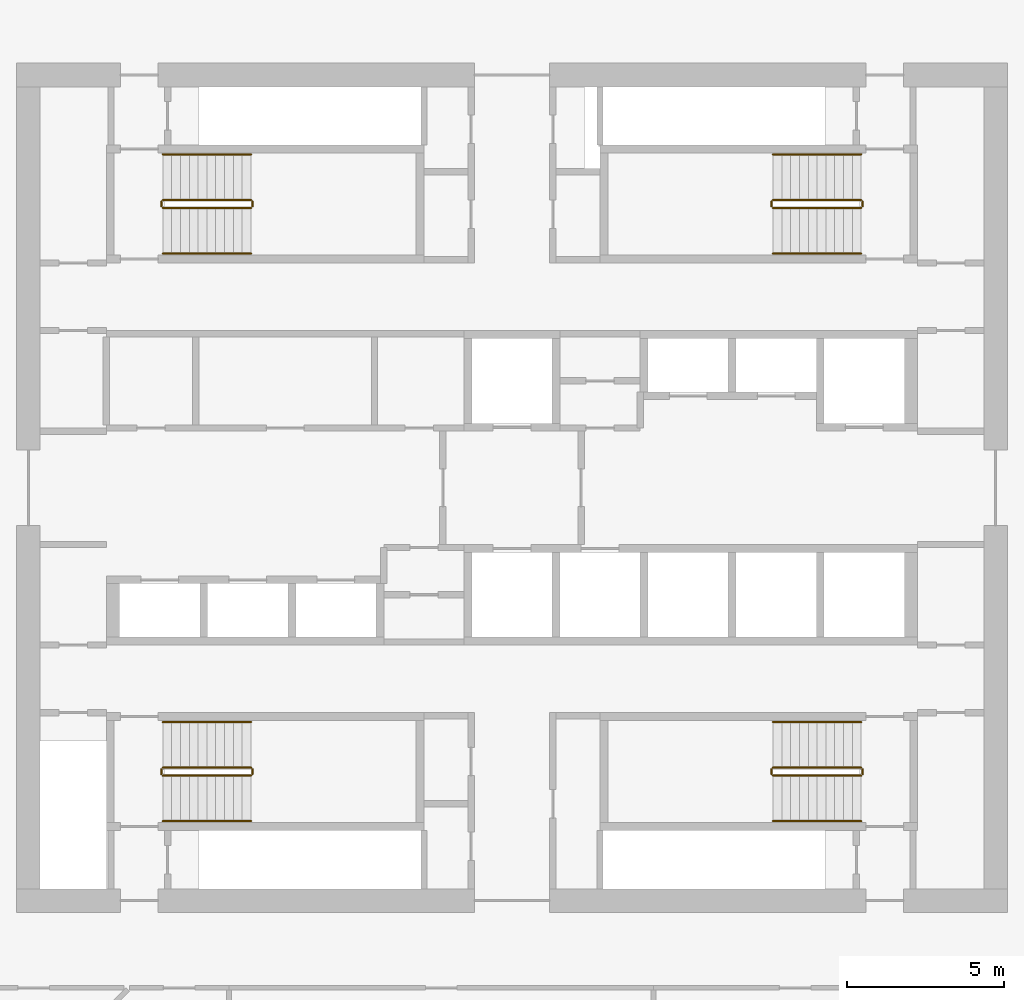
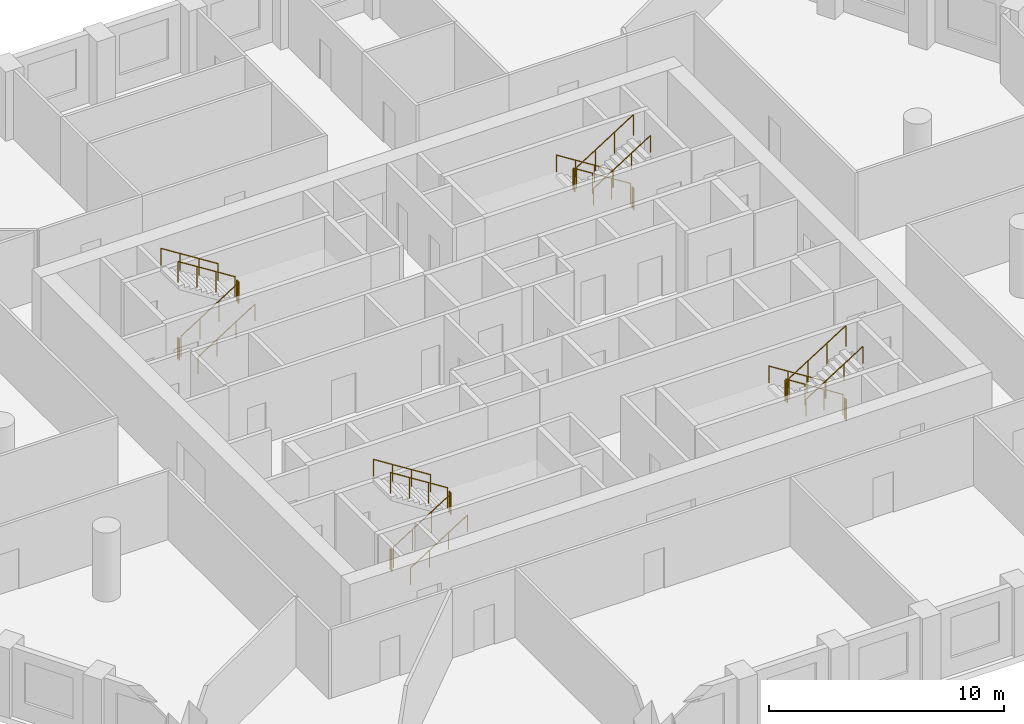
# One storey, part 9 of 9: 24 railings.
"""IFC4 building model written with IfcOpenShell, lengths in metres."""

from ifc_helpers import new_model, si_unit, direction, frame, origin, origin_2d, place, context, subcontext, project, spatial, circle, extrude, material, type_object, element, save


model = new_model("IFC4")

# Units and contexts
model_context = context("Model", 3, precision=1e-05, world=origin(), true_north=direction((0.0, 1.0)))
body_context = subcontext(model_context, "Body", "Model", "MODEL_VIEW")
ifc_project = project(units=[si_unit("LENGTHUNIT", "METRE"), si_unit("AREAUNIT", "SQUARE_METRE"), si_unit("VOLUMEUNIT", "CUBIC_METRE"), si_unit("PLANEANGLEUNIT", "RADIAN"), si_unit("MASSUNIT", "GRAM", prefix="KILO")], contexts=[model_context])

# Site, building, storey
site_placement = place(None, origin())
site = spatial("IfcSite", under=ifc_project, at=site_placement, CompositionType="ELEMENT")
building_placement = place(site_placement, origin())
building = spatial("IfcBuilding", under=site, at=building_placement, Name="Dhurran Vertical Campus", CompositionType="ELEMENT")
storey_placement = place(building_placement, frame((0.0, 0.0, 163.800048828125)))
storey = spatial("IfcBuildingStorey", under=building, at=storey_placement, Name="L40", CompositionType="ELEMENT", Elevation=163.800048828125)

# Railings
ifc_material_1 = material(Name="Stainless steel balustrade", Category="steel")
railing_type_1 = type_object("IfcRailingType", Name="co-RL-GUARD-1100", PredefinedType="GUARDRAIL", material=ifc_material_1)
railing_1_placement = place(storey_placement, frame((-11.10009765625, 8.89990234375, 0.17724609375)))
element("IfcRailing", 1, at=railing_1_placement, inside=storey, type_object=railing_type_1, Name="L40 ST1 stair guard 1", PredefinedType="GUARDRAIL", context=body_context, shape_type="SweptSolid", body=[
    extrude(circle(Radius=0.02392578125, at=origin_2d()), frame((0.0, 0.0, 1.076171875), z_axis=(0.844908973607, 0.0, 0.534910110503), x_axis=(0.0, 1.0, 0.0)), (0.0, 0.0, 1.0), 3.31396484375),
    extrude(circle(Radius=0.02099609375, at=origin_2d()), origin(), (0.0, 0.0, 1.0), 1.052001953125),
    extrude(circle(Radius=0.02099609375, at=origin_2d()), frame((0.933349609375, 0.0, 0.5908203125)), (0.0, 0.0, 1.0), 1.052001953125),
    extrude(circle(Radius=0.02099609375, at=origin_2d()), frame((1.86669921875, 0.0, 1.181884765625)), (0.0, 0.0, 1.0), 1.052001953125),
    extrude(circle(Radius=0.02099609375, at=origin_2d()), frame((2.800048828125, 0.0, 1.772705078125)), (0.0, 0.0, 1.0), 1.052001953125),
])
railing_2_placement = place(storey_placement, frame((-8.25, 8.949951171875, 1.949951171875)))
element("IfcRailing", 2, at=railing_2_placement, inside=storey, type_object=railing_type_1, Name="L40 ST1 stair guard 2", PredefinedType="GUARDRAIL", context=body_context, shape_type="SweptSolid", body=[
    extrude(circle(Radius=0.02392578125, at=origin_2d()), frame((0.0, 0.0, 1.076171875), z_axis=(0.0, 1.0, 0.0), x_axis=(-1.0, 0.0, 0.0)), (0.0, 0.0, 1.0), 0.150146484375),
    extrude(circle(Radius=0.02099609375, at=origin_2d()), origin(), (0.0, 0.0, 1.0), 1.052001953125),
    extrude(circle(Radius=0.02099609375, at=origin_2d()), frame((0.0, 0.150146484375, 0.0)), (0.0, 0.0, 1.0), 1.052001953125),
])
railing_3_placement = place(storey_placement, frame((-8.300048828125, 9.14990234375, 2.127197265625)))
element("IfcRailing", 3, at=railing_3_placement, inside=storey, type_object=railing_type_1, Name="L40 ST1 stair guard 3", PredefinedType="GUARDRAIL", context=body_context, shape_type="SweptSolid", body=[
    extrude(circle(Radius=0.02392578125, at=origin_2d()), frame((0.0, 0.0, 1.076171875), z_axis=(-0.844908973607, 0.0, 0.534910110503), x_axis=(0.0, -1.0, 0.0)), (0.0, 0.0, 1.0), 3.31396484375),
    extrude(circle(Radius=0.02099609375, at=origin_2d()), origin(), (0.0, 0.0, 1.0), 1.052001953125),
    extrude(circle(Radius=0.02099609375, at=origin_2d()), frame((-0.933349609375, 0.0, 0.5908203125)), (0.0, 0.0, 1.0), 1.052001953125),
    extrude(circle(Radius=0.02099609375, at=origin_2d()), frame((-1.86669921875, 0.0, 1.181884765625)), (0.0, 0.0, 1.0), 1.052001953125),
    extrude(circle(Radius=0.02099609375, at=origin_2d()), frame((-2.800048828125, 0.0, 1.772705078125)), (0.0, 0.0, 1.0), 1.052001953125),
])
railing_4_placement = place(storey_placement, frame((-11.14990234375, 8.949951171875, 0.0)))
element("IfcRailing", 4, at=railing_4_placement, inside=storey, type_object=railing_type_1, Name="L40 ST1 stair guard 4", PredefinedType="GUARDRAIL", context=body_context, shape_type="SweptSolid", body=[
    extrude(circle(Radius=0.02392578125, at=origin_2d()), frame((0.0, 0.0, 1.076171875), z_axis=(0.0, 1.0, 0.0), x_axis=(-1.0, 0.0, 0.0)), (0.0, 0.0, 1.0), 0.150146484375),
    extrude(circle(Radius=0.02099609375, at=origin_2d()), origin(), (0.0, 0.0, 1.0), 1.052001953125),
    extrude(circle(Radius=0.02099609375, at=origin_2d()), frame((0.0, 0.150146484375, 0.0)), (0.0, 0.0, 1.0), 1.052001953125),
])
railing_5_placement = place(storey_placement, frame((11.10009765625, 9.14990234375, 0.17724609375)))
element("IfcRailing", 5, at=railing_5_placement, inside=storey, type_object=railing_type_1, Name="L40 ST2 stair guard 1", PredefinedType="GUARDRAIL", context=body_context, shape_type="SweptSolid", body=[
    extrude(circle(Radius=0.02392578125, at=origin_2d()), frame((0.0, 0.0, 1.076171875), z_axis=(-0.844908973607, 0.0, 0.534910110503), x_axis=(0.0, -1.0, 0.0)), (0.0, 0.0, 1.0), 3.31396484375),
    extrude(circle(Radius=0.02099609375, at=origin_2d()), origin(), (0.0, 0.0, 1.0), 1.052001953125),
    extrude(circle(Radius=0.02099609375, at=origin_2d()), frame((-0.933349609375, 0.0, 0.5908203125)), (0.0, 0.0, 1.0), 1.052001953125),
    extrude(circle(Radius=0.02099609375, at=origin_2d()), frame((-1.86669921875, 0.0, 1.181884765625)), (0.0, 0.0, 1.0), 1.052001953125),
    extrude(circle(Radius=0.02099609375, at=origin_2d()), frame((-2.800048828125, 0.0, 1.772705078125)), (0.0, 0.0, 1.0), 1.052001953125),
])
railing_6_placement = place(storey_placement, frame((8.25, 9.10009765625, 1.949951171875)))
element("IfcRailing", 6, at=railing_6_placement, inside=storey, type_object=railing_type_1, Name="L40 ST2 stair guard 2", PredefinedType="GUARDRAIL", context=body_context, shape_type="SweptSolid", body=[
    extrude(circle(Radius=0.02392578125, at=origin_2d()), frame((0.0, 0.0, 1.076171875), z_axis=(0.0, -1.0, 0.0), x_axis=(1.0, 0.0, 0.0)), (0.0, 0.0, 1.0), 0.150146484375),
    extrude(circle(Radius=0.02099609375, at=origin_2d()), origin(), (0.0, 0.0, 1.0), 1.052001953125),
    extrude(circle(Radius=0.02099609375, at=origin_2d()), frame((0.0, -0.150146484375, 0.0)), (0.0, 0.0, 1.0), 1.052001953125),
])
railing_7_placement = place(storey_placement, frame((8.300048828125, 8.89990234375, 2.127197265625)))
element("IfcRailing", 7, at=railing_7_placement, inside=storey, type_object=railing_type_1, Name="L40 ST2 stair guard 3", PredefinedType="GUARDRAIL", context=body_context, shape_type="SweptSolid", body=[
    extrude(circle(Radius=0.02392578125, at=origin_2d()), frame((0.0, 0.0, 1.076171875), z_axis=(0.844908973607, 0.0, 0.534910110503), x_axis=(0.0, 1.0, 0.0)), (0.0, 0.0, 1.0), 3.31396484375),
    extrude(circle(Radius=0.02099609375, at=origin_2d()), origin(), (0.0, 0.0, 1.0), 1.052001953125),
    extrude(circle(Radius=0.02099609375, at=origin_2d()), frame((0.933349609375, 0.0, 0.5908203125)), (0.0, 0.0, 1.0), 1.052001953125),
    extrude(circle(Radius=0.02099609375, at=origin_2d()), frame((1.86669921875, 0.0, 1.181884765625)), (0.0, 0.0, 1.0), 1.052001953125),
    extrude(circle(Radius=0.02099609375, at=origin_2d()), frame((2.800048828125, 0.0, 1.772705078125)), (0.0, 0.0, 1.0), 1.052001953125),
])
railing_8_placement = place(storey_placement, frame((11.14990234375, 9.10009765625, 0.0)))
element("IfcRailing", 8, at=railing_8_placement, inside=storey, type_object=railing_type_1, Name="L40 ST2 stair guard 4", PredefinedType="GUARDRAIL", context=body_context, shape_type="SweptSolid", body=[
    extrude(circle(Radius=0.02392578125, at=origin_2d()), frame((0.0, 0.0, 1.076171875), z_axis=(0.0, -1.0, 0.0), x_axis=(1.0, 0.0, 0.0)), (0.0, 0.0, 1.0), 0.150146484375),
    extrude(circle(Radius=0.02099609375, at=origin_2d()), origin(), (0.0, 0.0, 1.0), 1.052001953125),
    extrude(circle(Radius=0.02099609375, at=origin_2d()), frame((0.0, -0.150146484375, 0.0)), (0.0, 0.0, 1.0), 1.052001953125),
])
railing_9_placement = place(storey_placement, frame((-11.10009765625, -9.14990234375, 0.17724609375)))
element("IfcRailing", 9, at=railing_9_placement, inside=storey, type_object=railing_type_1, Name="L40 ST3 stair guard 1", PredefinedType="GUARDRAIL", context=body_context, shape_type="SweptSolid", body=[
    extrude(circle(Radius=0.02392578125, at=origin_2d()), frame((0.0, 0.0, 1.076171875), z_axis=(0.844908973607, 0.0, 0.534910110503), x_axis=(0.0, 1.0, 0.0)), (0.0, 0.0, 1.0), 3.31396484375),
    extrude(circle(Radius=0.02099609375, at=origin_2d()), origin(), (0.0, 0.0, 1.0), 1.052001953125),
    extrude(circle(Radius=0.02099609375, at=origin_2d()), frame((0.933349609375, 0.0, 0.5908203125)), (0.0, 0.0, 1.0), 1.052001953125),
    extrude(circle(Radius=0.02099609375, at=origin_2d()), frame((1.86669921875, 0.0, 1.181884765625)), (0.0, 0.0, 1.0), 1.052001953125),
    extrude(circle(Radius=0.02099609375, at=origin_2d()), frame((2.800048828125, 0.0, 1.772705078125)), (0.0, 0.0, 1.0), 1.052001953125),
])
railing_10_placement = place(storey_placement, frame((-8.25, -9.10009765625, 1.949951171875)))
element("IfcRailing", 10, at=railing_10_placement, inside=storey, type_object=railing_type_1, Name="L40 ST3 stair guard 2", PredefinedType="GUARDRAIL", context=body_context, shape_type="SweptSolid", body=[
    extrude(circle(Radius=0.02392578125, at=origin_2d()), frame((0.0, 0.0, 1.076171875), z_axis=(0.0, 1.0, 0.0), x_axis=(-1.0, 0.0, 0.0)), (0.0, 0.0, 1.0), 0.150146484375),
    extrude(circle(Radius=0.02099609375, at=origin_2d()), origin(), (0.0, 0.0, 1.0), 1.052001953125),
    extrude(circle(Radius=0.02099609375, at=origin_2d()), frame((0.0, 0.150146484375, 0.0)), (0.0, 0.0, 1.0), 1.052001953125),
])
railing_11_placement = place(storey_placement, frame((-8.300048828125, -8.89990234375, 2.127197265625)))
element("IfcRailing", 11, at=railing_11_placement, inside=storey, type_object=railing_type_1, Name="L40 ST3 stair guard 3", PredefinedType="GUARDRAIL", context=body_context, shape_type="SweptSolid", body=[
    extrude(circle(Radius=0.02392578125, at=origin_2d()), frame((0.0, 0.0, 1.076171875), z_axis=(-0.844908973607, 0.0, 0.534910110503), x_axis=(0.0, -1.0, 0.0)), (0.0, 0.0, 1.0), 3.31396484375),
    extrude(circle(Radius=0.02099609375, at=origin_2d()), origin(), (0.0, 0.0, 1.0), 1.052001953125),
    extrude(circle(Radius=0.02099609375, at=origin_2d()), frame((-0.933349609375, 0.0, 0.5908203125)), (0.0, 0.0, 1.0), 1.052001953125),
    extrude(circle(Radius=0.02099609375, at=origin_2d()), frame((-1.86669921875, 0.0, 1.181884765625)), (0.0, 0.0, 1.0), 1.052001953125),
    extrude(circle(Radius=0.02099609375, at=origin_2d()), frame((-2.800048828125, 0.0, 1.772705078125)), (0.0, 0.0, 1.0), 1.052001953125),
])
railing_12_placement = place(storey_placement, frame((-11.14990234375, -9.10009765625, 0.0)))
element("IfcRailing", 12, at=railing_12_placement, inside=storey, type_object=railing_type_1, Name="L40 ST3 stair guard 4", PredefinedType="GUARDRAIL", context=body_context, shape_type="SweptSolid", body=[
    extrude(circle(Radius=0.02392578125, at=origin_2d()), frame((0.0, 0.0, 1.076171875), z_axis=(0.0, 1.0, 0.0), x_axis=(-1.0, 0.0, 0.0)), (0.0, 0.0, 1.0), 0.150146484375),
    extrude(circle(Radius=0.02099609375, at=origin_2d()), origin(), (0.0, 0.0, 1.0), 1.052001953125),
    extrude(circle(Radius=0.02099609375, at=origin_2d()), frame((0.0, 0.150146484375, 0.0)), (0.0, 0.0, 1.0), 1.052001953125),
])
railing_13_placement = place(storey_placement, frame((11.10009765625, -8.89990234375, 0.17724609375)))
element("IfcRailing", 13, at=railing_13_placement, inside=storey, type_object=railing_type_1, Name="L40 ST4 stair guard 1", PredefinedType="GUARDRAIL", context=body_context, shape_type="SweptSolid", body=[
    extrude(circle(Radius=0.02392578125, at=origin_2d()), frame((0.0, 0.0, 1.076171875), z_axis=(-0.844908973607, 0.0, 0.534910110503), x_axis=(0.0, -1.0, 0.0)), (0.0, 0.0, 1.0), 3.31396484375),
    extrude(circle(Radius=0.02099609375, at=origin_2d()), origin(), (0.0, 0.0, 1.0), 1.052001953125),
    extrude(circle(Radius=0.02099609375, at=origin_2d()), frame((-0.933349609375, 0.0, 0.5908203125)), (0.0, 0.0, 1.0), 1.052001953125),
    extrude(circle(Radius=0.02099609375, at=origin_2d()), frame((-1.86669921875, 0.0, 1.181884765625)), (0.0, 0.0, 1.0), 1.052001953125),
    extrude(circle(Radius=0.02099609375, at=origin_2d()), frame((-2.800048828125, 0.0, 1.772705078125)), (0.0, 0.0, 1.0), 1.052001953125),
])
railing_14_placement = place(storey_placement, frame((8.25, -8.949951171875, 1.949951171875)))
element("IfcRailing", 14, at=railing_14_placement, inside=storey, type_object=railing_type_1, Name="L40 ST4 stair guard 2", PredefinedType="GUARDRAIL", context=body_context, shape_type="SweptSolid", body=[
    extrude(circle(Radius=0.02392578125, at=origin_2d()), frame((0.0, 0.0, 1.076171875), z_axis=(0.0, -1.0, 0.0), x_axis=(1.0, 0.0, 0.0)), (0.0, 0.0, 1.0), 0.150146484375),
    extrude(circle(Radius=0.02099609375, at=origin_2d()), origin(), (0.0, 0.0, 1.0), 1.052001953125),
    extrude(circle(Radius=0.02099609375, at=origin_2d()), frame((0.0, -0.150146484375, 0.0)), (0.0, 0.0, 1.0), 1.052001953125),
])
railing_15_placement = place(storey_placement, frame((8.300048828125, -9.14990234375, 2.127197265625)))
element("IfcRailing", 15, at=railing_15_placement, inside=storey, type_object=railing_type_1, Name="L40 ST4 stair guard 3", PredefinedType="GUARDRAIL", context=body_context, shape_type="SweptSolid", body=[
    extrude(circle(Radius=0.02392578125, at=origin_2d()), frame((0.0, 0.0, 1.076171875), z_axis=(0.844908973607, 0.0, 0.534910110503), x_axis=(0.0, 1.0, 0.0)), (0.0, 0.0, 1.0), 3.31396484375),
    extrude(circle(Radius=0.02099609375, at=origin_2d()), origin(), (0.0, 0.0, 1.0), 1.052001953125),
    extrude(circle(Radius=0.02099609375, at=origin_2d()), frame((0.933349609375, 0.0, 0.5908203125)), (0.0, 0.0, 1.0), 1.052001953125),
    extrude(circle(Radius=0.02099609375, at=origin_2d()), frame((1.86669921875, 0.0, 1.181884765625)), (0.0, 0.0, 1.0), 1.052001953125),
    extrude(circle(Radius=0.02099609375, at=origin_2d()), frame((2.800048828125, 0.0, 1.772705078125)), (0.0, 0.0, 1.0), 1.052001953125),
])
railing_16_placement = place(storey_placement, frame((11.14990234375, -8.949951171875, 0.0)))
element("IfcRailing", 16, at=railing_16_placement, inside=storey, type_object=railing_type_1, Name="L40 ST4 stair guard 4", PredefinedType="GUARDRAIL", context=body_context, shape_type="SweptSolid", body=[
    extrude(circle(Radius=0.02392578125, at=origin_2d()), frame((0.0, 0.0, 1.076171875), z_axis=(0.0, -1.0, 0.0), x_axis=(1.0, 0.0, 0.0)), (0.0, 0.0, 1.0), 0.150146484375),
    extrude(circle(Radius=0.02099609375, at=origin_2d()), origin(), (0.0, 0.0, 1.0), 1.052001953125),
    extrude(circle(Radius=0.02099609375, at=origin_2d()), frame((0.0, -0.150146484375, 0.0)), (0.0, 0.0, 1.0), 1.052001953125),
])
ifc_material_2 = material(Name="Stainless steel handrail", Category="steel")
railing_type_2 = type_object("IfcRailingType", Name="co-RL-HANDRAIL-900", PredefinedType="HANDRAIL", material=ifc_material_2)
railing_17_placement = place(storey_placement, frame((-11.10009765625, 7.449951171875, 0.17724609375)))
element("IfcRailing", 17, at=railing_17_placement, inside=storey, type_object=railing_type_2, Name="L40 ST1 stair handrail 1", PredefinedType="HANDRAIL", context=body_context, shape_type="SweptSolid", body=[
    extrude(circle(Radius=0.02392578125, at=origin_2d()), frame((0.0, 0.0, 0.8759765625), z_axis=(0.844908973607, 0.0, 0.534910110503), x_axis=(0.0, 1.0, 0.0)), (0.0, 0.0, 1.0), 3.31396484375),
    extrude(circle(Radius=0.02099609375, at=origin_2d()), origin(), (0.0, 0.0, 1.0), 0.851806640625),
    extrude(circle(Radius=0.02099609375, at=origin_2d()), frame((0.933349609375, 0.0, 0.5908203125)), (0.0, 0.0, 1.0), 0.851806640625),
    extrude(circle(Radius=0.02099609375, at=origin_2d()), frame((1.86669921875, 0.0, 1.181884765625)), (0.0, 0.0, 1.0), 0.851806640625),
    extrude(circle(Radius=0.02099609375, at=origin_2d()), frame((2.800048828125, 0.0, 1.772705078125)), (0.0, 0.0, 1.0), 0.851806640625),
])
for number, where, name in (
    (18, (-8.300048828125, 10.60009765625, 2.127197265625), "L40 ST1 stair handrail 2"),
    (19, (11.10009765625, 10.60009765625, 0.17724609375), "L40 ST2 stair handrail 1"),
):
    element("IfcRailing", number, at=place(storey_placement, frame(where)), inside=storey, type_object=railing_type_2, Name=name, PredefinedType="HANDRAIL", context=body_context, shape_type="SweptSolid", body=[
        extrude(circle(Radius=0.02392578125, at=origin_2d()), frame((0.0, 0.0, 0.8759765625), z_axis=(-0.844908973607, 0.0, 0.534910110503), x_axis=(0.0, -1.0, 0.0)), (0.0, 0.0, 1.0), 3.31396484375),
        extrude(circle(Radius=0.02099609375, at=origin_2d()), origin(), (0.0, 0.0, 1.0), 0.851806640625),
        extrude(circle(Radius=0.02099609375, at=origin_2d()), frame((-0.933349609375, 0.0, 0.5908203125)), (0.0, 0.0, 1.0), 0.851806640625),
        extrude(circle(Radius=0.02099609375, at=origin_2d()), frame((-1.86669921875, 0.0, 1.181884765625)), (0.0, 0.0, 1.0), 0.851806640625),
        extrude(circle(Radius=0.02099609375, at=origin_2d()), frame((-2.800048828125, 0.0, 1.772705078125)), (0.0, 0.0, 1.0), 0.851806640625),
    ])
for number, where, name in (
    (20, (8.300048828125, 7.449951171875, 2.127197265625), "L40 ST2 stair handrail 2"),
    (21, (-11.10009765625, -10.60009765625, 0.17724609375), "L40 ST3 stair handrail 1"),
):
    element("IfcRailing", number, at=place(storey_placement, frame(where)), inside=storey, type_object=railing_type_2, Name=name, PredefinedType="HANDRAIL", context=body_context, shape_type="SweptSolid", body=[
        extrude(circle(Radius=0.02392578125, at=origin_2d()), frame((0.0, 0.0, 0.8759765625), z_axis=(0.844908973607, 0.0, 0.534910110503), x_axis=(0.0, 1.0, 0.0)), (0.0, 0.0, 1.0), 3.31396484375),
        extrude(circle(Radius=0.02099609375, at=origin_2d()), origin(), (0.0, 0.0, 1.0), 0.851806640625),
        extrude(circle(Radius=0.02099609375, at=origin_2d()), frame((0.933349609375, 0.0, 0.5908203125)), (0.0, 0.0, 1.0), 0.851806640625),
        extrude(circle(Radius=0.02099609375, at=origin_2d()), frame((1.86669921875, 0.0, 1.181884765625)), (0.0, 0.0, 1.0), 0.851806640625),
        extrude(circle(Radius=0.02099609375, at=origin_2d()), frame((2.800048828125, 0.0, 1.772705078125)), (0.0, 0.0, 1.0), 0.851806640625),
    ])
for number, where, name in (
    (22, (-8.300048828125, -7.449951171875, 2.127197265625), "L40 ST3 stair handrail 2"),
    (23, (11.10009765625, -7.449951171875, 0.17724609375), "L40 ST4 stair handrail 1"),
):
    element("IfcRailing", number, at=place(storey_placement, frame(where)), inside=storey, type_object=railing_type_2, Name=name, PredefinedType="HANDRAIL", context=body_context, shape_type="SweptSolid", body=[
        extrude(circle(Radius=0.02392578125, at=origin_2d()), frame((0.0, 0.0, 0.8759765625), z_axis=(-0.844908973607, 0.0, 0.534910110503), x_axis=(0.0, -1.0, 0.0)), (0.0, 0.0, 1.0), 3.31396484375),
        extrude(circle(Radius=0.02099609375, at=origin_2d()), origin(), (0.0, 0.0, 1.0), 0.851806640625),
        extrude(circle(Radius=0.02099609375, at=origin_2d()), frame((-0.933349609375, 0.0, 0.5908203125)), (0.0, 0.0, 1.0), 0.851806640625),
        extrude(circle(Radius=0.02099609375, at=origin_2d()), frame((-1.86669921875, 0.0, 1.181884765625)), (0.0, 0.0, 1.0), 0.851806640625),
        extrude(circle(Radius=0.02099609375, at=origin_2d()), frame((-2.800048828125, 0.0, 1.772705078125)), (0.0, 0.0, 1.0), 0.851806640625),
    ])
railing_18_placement = place(storey_placement, frame((8.300048828125, -10.60009765625, 2.127197265625)))
element("IfcRailing", 24, at=railing_18_placement, inside=storey, type_object=railing_type_2, Name="L40 ST4 stair handrail 2", PredefinedType="HANDRAIL", context=body_context, shape_type="SweptSolid", body=[
    extrude(circle(Radius=0.02392578125, at=origin_2d()), frame((0.0, 0.0, 0.8759765625), z_axis=(0.844908973607, 0.0, 0.534910110503), x_axis=(0.0, 1.0, 0.0)), (0.0, 0.0, 1.0), 3.31396484375),
    extrude(circle(Radius=0.02099609375, at=origin_2d()), origin(), (0.0, 0.0, 1.0), 0.851806640625),
    extrude(circle(Radius=0.02099609375, at=origin_2d()), frame((0.933349609375, 0.0, 0.5908203125)), (0.0, 0.0, 1.0), 0.851806640625),
    extrude(circle(Radius=0.02099609375, at=origin_2d()), frame((1.86669921875, 0.0, 1.181884765625)), (0.0, 0.0, 1.0), 0.851806640625),
    extrude(circle(Radius=0.02099609375, at=origin_2d()), frame((2.800048828125, 0.0, 1.772705078125)), (0.0, 0.0, 1.0), 0.851806640625),
])

save(model, "model.ifc")
